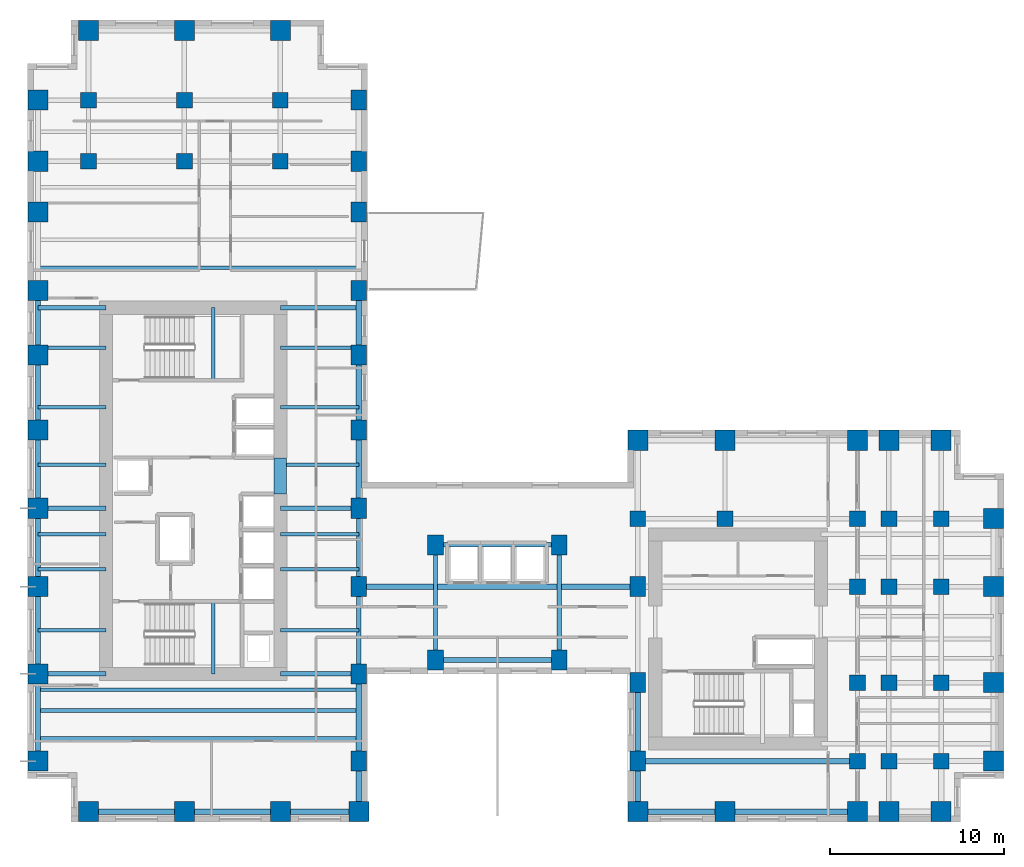
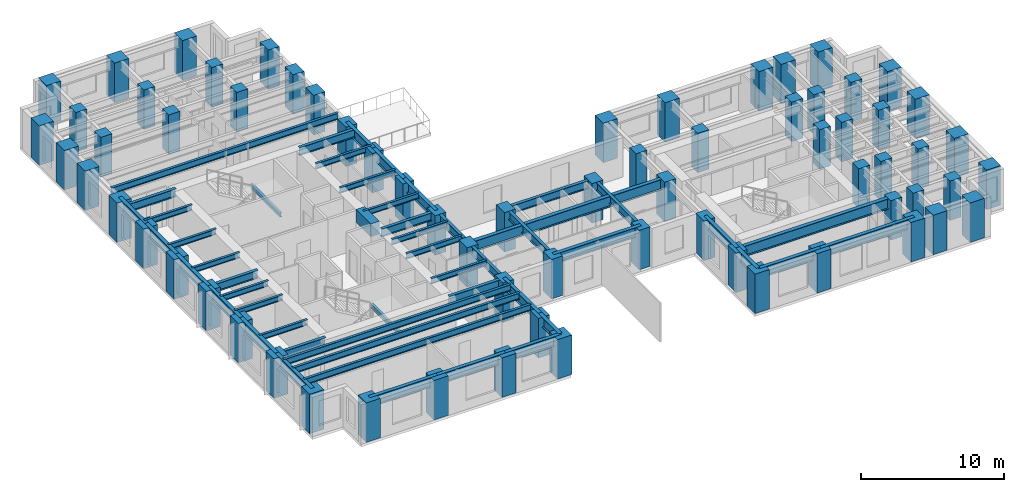
# One storey, part 1 of 11: 68 columns, 51 beams.
"""IFC4 building model written with IfcOpenShell, lengths in metres."""

from ifc_helpers import new_model, si_unit, direction, frame, origin, origin_2d, place, context, subcontext, project, spatial, rectangle, i_section, extrude, source, transform, mapped, material, material_profile, profile_set, type_object, element, save


model = new_model("IFC4")

# Units and contexts
model_context = context("Model", 3, precision=1e-05, world=origin(), true_north=direction((0.0, 1.0)))
body_context = subcontext(model_context, "Body", "Model", "MODEL_VIEW")
ifc_project = project(units=[si_unit("LENGTHUNIT", "METRE"), si_unit("AREAUNIT", "SQUARE_METRE"), si_unit("VOLUMEUNIT", "CUBIC_METRE"), si_unit("PLANEANGLEUNIT", "RADIAN"), si_unit("MASSUNIT", "GRAM", prefix="KILO")], contexts=[model_context])

# Site, building, storey
site_placement = place(None, origin())
site = spatial("IfcSite", under=ifc_project, at=site_placement, CompositionType="ELEMENT")
building_placement = place(site_placement, origin())
building = spatial("IfcBuilding", under=site, at=building_placement, Name="Kharzan Plaza Tower", CompositionType="ELEMENT")
storey_placement = place(building_placement, frame((0.0, 0.0, 127.800048828125)))
storey = spatial("IfcBuildingStorey", under=building, at=storey_placement, Name="L34", CompositionType="ELEMENT", Elevation=127.800048828125)

# Columns
ifc_material_1 = material(Name="Concrete C50/60", Category="concrete")
ifc_material_profile_1 = material_profile(ifc_material_1, rectangle(XDim=0.89990234375, YDim=0.89990234375, at=origin_2d()), Name="RC-IC900x900")
ifc_profile_set_1 = profile_set([ifc_material_profile_1], Name="Concrete C50/60")
column_type_1 = type_object("IfcColumnType", Name="COL-IC900", PredefinedType="COLUMN", material=ifc_profile_set_1)
shared_shape_1 = source(origin(), body_context, "Body", "SweptSolid", [
    extrude(rectangle(XDim=0.89990234375, YDim=0.89990234375, at=origin_2d()), origin(), (0.0, 0.0, 1.0), 3.3798828125),
])
for number, where, z_axis, x_axis, name in (
    (1, (47.60009765625, 13.5, 0.0), (0.0, 0.0, 1.0), (1.0, 0.0, 0.0), "L34 Structural Column TCBI-135"),
    (2, (47.60009765625, 3.5, 0.0), (0.0, 0.0, 1.0), (1.0, 0.0, 0.0), "L34 Structural Column TCBI-35"),
    (3, (47.60009765625, 8.0, 0.0), (0.0, 0.0, 1.0), (1.0, 0.0, 0.0), "L34 Structural Column TCBI-80"),
    (4, (35.0, 17.39990234375, 0.0), (0.0, 0.0, 1.0), (1.0, 0.0, 0.0), "L34 Structural Column TCBN-350-174"),
    (5, (40.0, 17.39990234375, 0.0), (0.0, 0.0, 1.0), (1.0, 0.0, 0.0), "L34 Structural Column TCBN-400-174"),
    (6, (47.60009765625, 17.39990234375, 0.0), (0.0, 0.0, 1.0), (1.0, 0.0, 0.0), "L34 Structural Column TCBN-476-174"),
    (7, (49.39990234375, 13.5, 0.0), (0.0, 0.0, 1.0), (1.0, 0.0, 0.0), "L34 Structural Column TCE-494-135"),
    (8, (49.39990234375, 17.39990234375, 0.0), (0.0, 0.0, 1.0), (1.0, 0.0, 0.0), "L34 Structural Column TCE-494-174"),
    (9, (49.39990234375, 3.5, 0.0), (0.0, 0.0, 1.0), (1.0, 0.0, 0.0), "L34 Structural Column TCE-494-35"),
    (10, (49.39990234375, 8.0, 0.0), (0.0, 0.0, 1.0), (1.0, 0.0, 0.0), "L34 Structural Column TCE-494-80"),
    (11, (52.39990234375, 13.5, 0.0), (0.0, 0.0, 1.0), (1.0, 0.0, 0.0), "L34 Structural Column TCE-524-135"),
    (12, (52.39990234375, 17.39990234375, 0.0), (0.0, 0.0, 1.0), (1.0, 0.0, 0.0), "L34 Structural Column TCE-524-174"),
    (13, (52.39990234375, 3.5, 0.0), (0.0, 0.0, 1.0), (1.0, 0.0, 0.0), "L34 Structural Column TCE-524-35"),
    (14, (52.39990234375, 8.0, 0.0), (0.0, 0.0, 1.0), (1.0, 0.0, 0.0), "L34 Structural Column TCE-524-80"),
    (15, (14.5, 37.89990234375, 0.0), (0.0, 0.0, 1.0), (1.0, 0.0, 0.0), "L34 Structural Column TCN-145-379"),
    (16, (14.5, 41.39990234375, 0.0), (0.0, 0.0, 1.0), (1.0, 0.0, 0.0), "L34 Structural Column TCN-145-414"),
    (17, (3.5, 37.89990234375, 0.0), (0.0, 0.0, 1.0), (1.0, 0.0, 0.0), "L34 Structural Column TCN-35-379"),
    (18, (3.5, 41.39990234375, 0.0), (0.0, 0.0, 1.0), (1.0, 0.0, 0.0), "L34 Structural Column TCN-35-414"),
    (19, (9.0, 37.89990234375, 0.0), (0.0, 0.0, 1.0), (1.0, 0.0, 0.0), "L34 Structural Column TCN-90-379"),
    (20, (9.0, 41.39990234375, 0.0), (0.0, 0.0, 1.0), (1.0, 0.0, 0.0), "L34 Structural Column TCN-90-414"),
):
    element("IfcColumn", number, at=place(storey_placement, frame(where, z_axis=z_axis, x_axis=x_axis)), inside=storey, type_object=column_type_1, Name=name, PredefinedType="COLUMN", context=body_context, shape_type="MappedRepresentation", body=[
        mapped(shared_shape_1, transform((0.0, 0.0, 0.0), x_axis=(1.0, 0.0, 0.0), y_axis=(0.0, 1.0, 0.0), z_axis=(0.0, 0.0, 1.0))),
    ])
ifc_material_2 = material(Name="Concrete C60/75", Category="concrete")
ifc_material_profile_2 = material_profile(ifc_material_2, rectangle(XDim=0.89990234375, YDim=1.14990234375, at=origin_2d()), Name="RC-SC1150x900")
ifc_profile_set_2 = profile_set([ifc_material_profile_2], Name="Concrete C60/75")
column_type_2 = type_object("IfcColumnType", Name="COL-SC1150", PredefinedType="COLUMN", material=ifc_profile_set_2)
shared_shape_2 = source(origin(), body_context, "Body", "SweptSolid", [
    extrude(rectangle(XDim=0.89990234375, YDim=1.14990234375, at=origin_2d()), origin(), (0.0, 0.0, 1.0), 3.3798828125),
])
for number, where, z_axis, x_axis, name in (
    (21, (19.0, 13.5, 0.0), (0.0, 0.0, 1.0), (1.0, 0.0, 0.0), "L34 Structural Column TCA-135"),
    (22, (19.0, 18.0, 0.0), (0.0, 0.0, 1.0), (1.0, 0.0, 0.0), "L34 Structural Column TCA-180"),
    (23, (19.0, 22.5, 0.0), (0.0, 0.0, 1.0), (1.0, 0.0, 0.0), "L34 Structural Column TCA-225"),
    (24, (19.0, 26.800048828125, 0.0), (0.0, 0.0, 1.0), (1.0, 0.0, 0.0), "L34 Structural Column TCA-268"),
    (25, (19.0, 30.5, 0.0), (0.0, 0.0, 1.0), (1.0, 0.0, 0.0), "L34 Structural Column TCA-305"),
    (26, (19.0, 3.5, 0.0), (0.0, 0.0, 1.0), (1.0, 0.0, 0.0), "L34 Structural Column TCA-35"),
    (27, (19.0, 35.0, 0.0), (0.0, 0.0, 1.0), (1.0, 0.0, 0.0), "L34 Structural Column TCA-350"),
    (28, (19.0, 37.89990234375, 0.0), (0.0, 0.0, 1.0), (1.0, 0.0, 0.0), "L34 Structural Column TCA-379"),
    (29, (19.0, 41.39990234375, 0.0), (0.0, 0.0, 1.0), (1.0, 0.0, 0.0), "L34 Structural Column TCA-414"),
    (30, (19.0, 8.5, 0.0), (0.0, 0.0, 1.0), (1.0, 0.0, 0.0), "L34 Structural Column TCA-85"),
    (31, (35.0, 13.5, 0.0), (0.0, 0.0, 1.0), (1.0, 0.0, 0.0), "L34 Structural Column TCBS-135"),
    (32, (35.0, 3.5, 0.0), (0.0, 0.0, 1.0), (1.0, 0.0, 0.0), "L34 Structural Column TCBS-35"),
    (33, (35.0, 8.0, 0.0), (0.0, 0.0, 1.0), (1.0, 0.0, 0.0), "L34 Structural Column TCBS-80"),
    (34, (23.39990234375, 15.89990234375, 0.0), (0.0, 0.0, 1.0), (1.0, 0.0, 0.0), "L34 Structural Column TCSP-234-159"),
    (35, (23.39990234375, 9.300048828125, 0.0), (0.0, 0.0, 1.0), (1.0, 0.0, 0.0), "L34 Structural Column TCSP-234-93"),
    (36, (30.5, 15.89990234375, 0.0), (0.0, 0.0, 1.0), (1.0, 0.0, 0.0), "L34 Structural Column TCSP-305-159"),
    (37, (30.5, 9.300048828125, 0.0), (0.0, 0.0, 1.0), (1.0, 0.0, 0.0), "L34 Structural Column TCSP-305-93"),
):
    element("IfcColumn", number, at=place(storey_placement, frame(where, z_axis=z_axis, x_axis=x_axis)), inside=storey, type_object=column_type_2, Name=name, PredefinedType="COLUMN", context=body_context, shape_type="MappedRepresentation", body=[
        mapped(shared_shape_2, transform((0.0, 0.0, 0.0), x_axis=(1.0, 0.0, 0.0), y_axis=(0.0, 1.0, 0.0), z_axis=(0.0, 0.0, 1.0))),
    ])
ifc_material_profile_3 = material_profile(ifc_material_2, rectangle(XDim=1.14990234375, YDim=1.14990234375, at=origin_2d()), Name="RC-TC1150x1150")
ifc_profile_set_3 = profile_set([ifc_material_profile_3], Name="Concrete C60/75")
column_type_3 = type_object("IfcColumnType", Name="COL-TC1150", PredefinedType="COLUMN", material=ifc_profile_set_3)
shared_shape_3 = source(origin(), body_context, "Body", "SweptSolid", [
    extrude(rectangle(XDim=1.14990234375, YDim=1.14990234375, at=origin_2d()), origin(), (0.0, 0.0, 1.0), 3.3798828125),
])
for number, where, z_axis, x_axis, name in (
    (38, (35.0, 21.89990234375, 0.0), (0.0, 0.0, 1.0), (1.0, 0.0, 0.0), "L34 Structural Column TCBN-350-219"),
    (39, (40.0, 21.89990234375, 0.0), (0.0, 0.0, 1.0), (1.0, 0.0, 0.0), "L34 Structural Column TCBN-400-219"),
    (40, (47.60009765625, 21.89990234375, 0.0), (0.0, 0.0, 1.0), (1.0, 0.0, 0.0), "L34 Structural Column TCBN-476-219"),
    (41, (49.39990234375, 21.89990234375, 0.0), (0.0, 0.0, 1.0), (1.0, 0.0, 0.0), "L34 Structural Column TCBN-494-219"),
    (42, (52.39990234375, 21.89990234375, 0.0), (0.0, 0.0, 1.0), (1.0, 0.0, 0.0), "L34 Structural Column TCBN-524-219"),
    (43, (55.39990234375, 13.5, 0.0), (0.0, 0.0, 1.0), (1.0, 0.0, 0.0), "L34 Structural Column TCE-554-135"),
    (44, (55.39990234375, 17.39990234375, 0.0), (0.0, 0.0, 1.0), (1.0, 0.0, 0.0), "L34 Structural Column TCE-554-174"),
    (45, (55.39990234375, 3.5, 0.0), (0.0, 0.0, 1.0), (1.0, 0.0, 0.0), "L34 Structural Column TCE-554-35"),
    (46, (55.39990234375, 8.0, 0.0), (0.0, 0.0, 1.0), (1.0, 0.0, 0.0), "L34 Structural Column TCE-554-80"),
    (47, (14.5, 45.39990234375, 0.0), (0.0, 0.0, 1.0), (1.0, 0.0, 0.0), "L34 Structural Column TCN-145-454"),
    (48, (3.5, 45.39990234375, 0.0), (0.0, 0.0, 1.0), (1.0, 0.0, 0.0), "L34 Structural Column TCN-35-454"),
    (49, (9.0, 45.39990234375, 0.0), (0.0, 0.0, 1.0), (1.0, 0.0, 0.0), "L34 Structural Column TCN-90-454"),
    (50, (14.5, 0.60009765625, 0.0), (0.0, 0.0, 1.0), (1.0, 0.0, 0.0), "L34 Structural Column TCS-145"),
    (51, (19.0, 0.60009765625, 0.0), (0.0, 0.0, 1.0), (1.0, 0.0, 0.0), "L34 Structural Column TCS-190"),
    (52, (3.5, 0.60009765625, 0.0), (0.0, 0.0, 1.0), (1.0, 0.0, 0.0), "L34 Structural Column TCS-35"),
    (53, (35.0, 0.60009765625, 0.0), (0.0, 0.0, 1.0), (1.0, 0.0, 0.0), "L34 Structural Column TCS-350"),
    (54, (40.0, 0.60009765625, 0.0), (0.0, 0.0, 1.0), (1.0, 0.0, 0.0), "L34 Structural Column TCS-400"),
    (55, (47.60009765625, 0.60009765625, 0.0), (0.0, 0.0, 1.0), (1.0, 0.0, 0.0), "L34 Structural Column TCS-476"),
    (56, (49.39990234375, 0.60009765625, 0.0), (0.0, 0.0, 1.0), (1.0, 0.0, 0.0), "L34 Structural Column TCS-494"),
    (57, (52.39990234375, 0.60009765625, 0.0), (0.0, 0.0, 1.0), (1.0, 0.0, 0.0), "L34 Structural Column TCS-524"),
    (58, (9.0, 0.60009765625, 0.0), (0.0, 0.0, 1.0), (1.0, 0.0, 0.0), "L34 Structural Column TCS-90"),
    (59, (0.60009765625, 13.5, 0.0), (0.0, 0.0, 1.0), (1.0, 0.0, 0.0), "L34 Structural Column TCW-135"),
    (60, (0.60009765625, 18.0, 0.0), (0.0, 0.0, 1.0), (1.0, 0.0, 0.0), "L34 Structural Column TCW-180"),
    (61, (0.60009765625, 22.5, 0.0), (0.0, 0.0, 1.0), (1.0, 0.0, 0.0), "L34 Structural Column TCW-225"),
    (62, (0.60009765625, 26.800048828125, 0.0), (0.0, 0.0, 1.0), (1.0, 0.0, 0.0), "L34 Structural Column TCW-268"),
    (63, (0.60009765625, 30.5, 0.0), (0.0, 0.0, 1.0), (1.0, 0.0, 0.0), "L34 Structural Column TCW-305"),
    (64, (0.60009765625, 3.5, 0.0), (0.0, 0.0, 1.0), (1.0, 0.0, 0.0), "L34 Structural Column TCW-35"),
    (65, (0.60009765625, 35.0, 0.0), (0.0, 0.0, 1.0), (1.0, 0.0, 0.0), "L34 Structural Column TCW-350"),
    (66, (0.60009765625, 37.89990234375, 0.0), (0.0, 0.0, 1.0), (1.0, 0.0, 0.0), "L34 Structural Column TCW-379"),
    (67, (0.60009765625, 41.39990234375, 0.0), (0.0, 0.0, 1.0), (1.0, 0.0, 0.0), "L34 Structural Column TCW-414"),
    (68, (0.60009765625, 8.5, 0.0), (0.0, 0.0, 1.0), (1.0, 0.0, 0.0), "L34 Structural Column TCW-85"),
):
    element("IfcColumn", number, at=place(storey_placement, frame(where, z_axis=z_axis, x_axis=x_axis)), inside=storey, type_object=column_type_3, Name=name, PredefinedType="COLUMN", context=body_context, shape_type="MappedRepresentation", body=[
        mapped(shared_shape_3, transform((0.0, 0.0, 0.0), x_axis=(1.0, 0.0, 0.0), y_axis=(0.0, 1.0, 0.0), z_axis=(0.0, 0.0, 1.0))),
    ])

# Beams
ifc_material_profile_4 = material_profile(ifc_material_2, rectangle(XDim=0.699951171875, YDim=1.10009765625, at=origin_2d()), Name="RC-CB1100x700")
ifc_profile_set_4 = profile_set([ifc_material_profile_4], Name="Concrete C60/75")
beam_type_1 = type_object("IfcBeamType", Name="BM-RCCB1100", PredefinedType="LINTEL", material=ifc_profile_set_4)
shared_shape_4 = source(origin(), body_context, "Body", "SweptSolid", [
    extrude(rectangle(XDim=0.699951171875, YDim=1.10009765625, at=origin_2d()), origin(), (0.0, 0.0, 1.0), 2.059814453125),
])
beam_1_placement = place(storey_placement, frame((14.5, 18.820068359375, 2.829833984375), z_axis=(0.0, 1.0, 0.0), x_axis=(-1.0, 0.0, 0.0)))
element("IfcBeam", 69, at=beam_1_placement, inside=storey, type_object=beam_type_1, Name="L34 CORE-A RC coupling beam CB1", PredefinedType="LINTEL", context=body_context, shape_type="MappedRepresentation", body=[
    mapped(shared_shape_4, transform((0.0, 0.0, 0.0), x_axis=(1.0, 0.0, 0.0), y_axis=(0.0, 1.0, 0.0), z_axis=(0.0, 0.0, 1.0))),
])
ifc_material_3 = material(Name="Steel S355", Category="steel")
ifc_material_profile_5 = material_profile(ifc_material_3, i_section(OverallWidth=0.205078125, OverallDepth=0.35400390625, WebThickness=0.009521484375, FlangeThickness=0.016845703125, at=origin_2d()), Name="W360x79")
ifc_profile_set_5 = profile_set([ifc_material_profile_5], Name="Steel S355")
beam_type_2 = type_object("IfcBeamType", Name="BM-LNT360", PredefinedType="LINTEL", material=ifc_profile_set_5)
shared_shape_5 = source(origin(), body_context, "Body", "SweptSolid", [
    extrude(i_section(OverallWidth=0.205078125, OverallDepth=0.35400390625, WebThickness=0.009521484375, FlangeThickness=0.016845703125, at=origin_2d()), origin(), (0.0, 0.0, 1.0), 4.155029296875),
])
for number, where, z_axis, x_axis, name in (
    (70, (10.64990234375, 8.5, 1.4228515625), (0.0, 1.0, 0.0), (-1.0, 0.0, 0.0), "L34 Stair ST-1 Half-Landing Beam"),
    (71, (10.64990234375, 25.344970703125, 1.4228515625), (0.0, 1.0, 0.0), (-1.0, 0.0, 0.0), "L34 Stair ST-2 Half-Landing Beam"),
):
    element("IfcBeam", number, at=place(storey_placement, frame(where, z_axis=z_axis, x_axis=x_axis)), inside=storey, type_object=beam_type_2, Name=name, PredefinedType="LINTEL", context=body_context, shape_type="MappedRepresentation", body=[
        mapped(shared_shape_5, transform((0.0, 0.0, 0.0), x_axis=(1.0, 0.0, 0.0), y_axis=(0.0, 1.0, 0.0), z_axis=(0.0, 0.0, 1.0))),
    ])
ifc_material_profile_6 = material_profile(ifc_material_3, i_section(OverallWidth=0.304931640625, OverallDepth=0.9189453125, WebThickness=0.017333984375, FlangeThickness=0.02783203125, at=origin_2d()), Name="W920x253")
ifc_profile_set_6 = profile_set([ifc_material_profile_6], Name="Steel S355")
beam_type_3 = type_object("IfcBeamType", Name="BM-FG920B", PredefinedType="BEAM", material=ifc_profile_set_6)
shared_shape_6 = source(origin(), body_context, "Body", "SweptSolid", [
    extrude(i_section(OverallWidth=0.304931640625, OverallDepth=0.9189453125, WebThickness=0.017333984375, FlangeThickness=0.02783203125, at=origin_2d()), origin(), (0.0, 0.0, 1.0), 12.60009765625),
])
beam_2_placement = place(storey_placement, frame((35.0, 3.5, 2.92041015625), z_axis=(1.0, 0.0, 0.0), x_axis=(0.0, 1.0, 0.0)))
element("IfcBeam", 72, at=beam_2_placement, inside=storey, type_object=beam_type_3, Name="L34 Primary Floor Girder", PredefinedType="BEAM", context=body_context, shape_type="MappedRepresentation", body=[
    mapped(shared_shape_6, transform((0.0, 0.0, 0.0), x_axis=(1.0, 0.0, 0.0), y_axis=(0.0, 1.0, 0.0), z_axis=(0.0, 0.0, 1.0))),
])
shared_shape_7 = source(origin(), body_context, "Body", "SweptSolid", [
    extrude(i_section(OverallWidth=0.304931640625, OverallDepth=0.9189453125, WebThickness=0.017333984375, FlangeThickness=0.02783203125, at=origin_2d()), origin(), (0.0, 0.0, 1.0), 16.0),
])
beam_3_placement = place(storey_placement, frame((19.0, 13.5, 2.92041015625), z_axis=(1.0, 0.0, 0.0), x_axis=(0.0, 1.0, 0.0)))
element("IfcBeam", 73, at=beam_3_placement, inside=storey, type_object=beam_type_3, Name="L34 Primary Floor Girder", PredefinedType="BEAM", context=body_context, shape_type="MappedRepresentation", body=[
    mapped(shared_shape_7, transform((0.0, 0.0, 0.0), x_axis=(1.0, 0.0, 0.0), y_axis=(0.0, 1.0, 0.0), z_axis=(0.0, 0.0, 1.0))),
])
ifc_material_profile_7 = material_profile(ifc_material_3, i_section(OverallWidth=0.2099609375, OverallDepth=0.537109375, WebThickness=0.010986328125, FlangeThickness=0.017333984375, at=origin_2d()), Name="W530x101")
ifc_profile_set_7 = profile_set([ifc_material_profile_7], Name="Steel S355")
beam_type_4 = type_object("IfcBeamType", Name="BM-JST530B", PredefinedType="JOIST", material=ifc_profile_set_7)
shared_shape_8 = source(origin(), body_context, "Body", "SweptSolid", [
    extrude(i_section(OverallWidth=0.2099609375, OverallDepth=0.537109375, WebThickness=0.010986328125, FlangeThickness=0.017333984375, at=origin_2d()), origin(), (0.0, 0.0, 1.0), 18.39990234375),
])
for number, where, z_axis, x_axis, name in (
    (74, (0.60009765625, 4.800048828125, 3.111572265625), (1.0, 0.0, 0.0), (0.0, 1.0, 0.0), "L34 Wing A Composite Joist 01"),
    (75, (0.60009765625, 6.39990234375, 3.111572265625), (1.0, 0.0, 0.0), (0.0, 1.0, 0.0), "L34 Wing A Composite Joist 02"),
    (76, (0.60009765625, 7.60009765625, 3.111572265625), (1.0, 0.0, 0.0), (0.0, 1.0, 0.0), "L34 Wing A Composite Joist 03"),
    (77, (0.60009765625, 31.800048828125, 3.111572265625), (1.0, 0.0, 0.0), (0.0, 1.0, 0.0), "L34 Wing A Composite Joist 04"),
):
    element("IfcBeam", number, at=place(storey_placement, frame(where, z_axis=z_axis, x_axis=x_axis)), inside=storey, type_object=beam_type_4, Name=name, PredefinedType="JOIST", context=body_context, shape_type="MappedRepresentation", body=[
        mapped(shared_shape_8, transform((0.0, 0.0, 0.0), x_axis=(1.0, 0.0, 0.0), y_axis=(0.0, 1.0, 0.0), z_axis=(0.0, 0.0, 1.0))),
    ])
ifc_material_profile_8 = material_profile(ifc_material_3, i_section(OverallWidth=0.194091796875, OverallDepth=0.468994140625, WebThickness=0.011474609375, FlangeThickness=0.0205078125, at=origin_2d()), Name="W460x106")
ifc_profile_set_8 = profile_set([ifc_material_profile_8], Name="Steel S355")
beam_type_5 = type_object("IfcBeamType", Name="BM-JST460", PredefinedType="JOIST", material=ifc_profile_set_8)
shared_shape_9 = source(origin(), body_context, "Body", "SweptSolid", [
    extrude(i_section(OverallWidth=0.194091796875, OverallDepth=0.468994140625, WebThickness=0.011474609375, FlangeThickness=0.0205078125, at=origin_2d()), origin(), (0.0, 0.0, 1.0), 4.5),
])
for number, where, z_axis, x_axis, name in (
    (78, (14.5, 11.0, 3.1455078125), (1.0, 0.0, 0.0), (0.0, 1.0, 0.0), "L34 Wing A East Infill Joist 1"),
    (79, (14.5, 14.5, 3.1455078125), (1.0, 0.0, 0.0), (0.0, 1.0, 0.0), "L34 Wing A East Infill Joist 2"),
    (80, (14.5, 16.5, 3.1455078125), (1.0, 0.0, 0.0), (0.0, 1.0, 0.0), "L34 Wing A East Infill Joist 3"),
    (81, (14.5, 20.5, 3.1455078125), (1.0, 0.0, 0.0), (0.0, 1.0, 0.0), "L34 Wing A East Infill Joist 4"),
    (82, (14.5, 23.800048828125, 3.1455078125), (1.0, 0.0, 0.0), (0.0, 1.0, 0.0), "L34 Wing A East Infill Joist 5"),
    (83, (14.5, 27.199951171875, 3.1455078125), (1.0, 0.0, 0.0), (0.0, 1.0, 0.0), "L34 Wing A East Infill Joist 6"),
):
    element("IfcBeam", number, at=place(storey_placement, frame(where, z_axis=z_axis, x_axis=x_axis)), inside=storey, type_object=beam_type_5, Name=name, PredefinedType="JOIST", context=body_context, shape_type="MappedRepresentation", body=[
        mapped(shared_shape_9, transform((0.0, 0.0, 0.0), x_axis=(1.0, 0.0, 0.0), y_axis=(0.0, 1.0, 0.0), z_axis=(0.0, 0.0, 1.0))),
    ])
shared_shape_10 = source(origin(), body_context, "Body", "SweptSolid", [
    extrude(i_section(OverallWidth=0.194091796875, OverallDepth=0.468994140625, WebThickness=0.011474609375, FlangeThickness=0.0205078125, at=origin_2d()), origin(), (0.0, 0.0, 1.0), 3.89990234375),
])
for number, where, z_axis, x_axis, name in (
    (84, (0.60009765625, 11.0, 3.1455078125), (1.0, 0.0, 0.0), (0.0, 1.0, 0.0), "L34 Wing A West Infill Joist 1"),
    (85, (0.60009765625, 14.5, 3.1455078125), (1.0, 0.0, 0.0), (0.0, 1.0, 0.0), "L34 Wing A West Infill Joist 2"),
    (86, (0.60009765625, 16.5, 3.1455078125), (1.0, 0.0, 0.0), (0.0, 1.0, 0.0), "L34 Wing A West Infill Joist 3"),
    (87, (0.60009765625, 20.5, 3.1455078125), (1.0, 0.0, 0.0), (0.0, 1.0, 0.0), "L34 Wing A West Infill Joist 4"),
    (88, (0.60009765625, 23.800048828125, 3.1455078125), (1.0, 0.0, 0.0), (0.0, 1.0, 0.0), "L34 Wing A West Infill Joist 5"),
    (89, (0.60009765625, 27.199951171875, 3.1455078125), (1.0, 0.0, 0.0), (0.0, 1.0, 0.0), "L34 Wing A West Infill Joist 6"),
):
    element("IfcBeam", number, at=place(storey_placement, frame(where, z_axis=z_axis, x_axis=x_axis)), inside=storey, type_object=beam_type_5, Name=name, PredefinedType="JOIST", context=body_context, shape_type="MappedRepresentation", body=[
        mapped(shared_shape_10, transform((0.0, 0.0, 0.0), x_axis=(1.0, 0.0, 0.0), y_axis=(0.0, 1.0, 0.0), z_axis=(0.0, 0.0, 1.0))),
    ])
ifc_material_profile_9 = material_profile(ifc_material_3, i_section(OverallWidth=0.25390625, OverallDepth=0.68798828125, WebThickness=0.01318359375, FlangeThickness=0.02099609375, at=origin_2d()), Name="W690x152")
ifc_profile_set_9 = profile_set([ifc_material_profile_9], Name="Steel S355")
beam_type_6 = type_object("IfcBeamType", Name="BM-FG690B", PredefinedType="BEAM", material=ifc_profile_set_9)
shared_shape_11 = source(origin(), body_context, "Body", "SweptSolid", [
    extrude(i_section(OverallWidth=0.25390625, OverallDepth=0.68798828125, WebThickness=0.01318359375, FlangeThickness=0.02099609375, at=origin_2d()), origin(), (0.0, 0.0, 1.0), 4.5),
])
for number, where, z_axis, x_axis, name in (
    (90, (14.5, 8.5, 3.035888671875), (1.0, 0.0, 0.0), (0.0, 1.0, 0.0), "L34 Core-A East Floor Girder 1"),
    (91, (14.5, 18.0, 3.035888671875), (1.0, 0.0, 0.0), (0.0, 1.0, 0.0), "L34 Core-A East Floor Girder 2"),
    (92, (14.5, 29.5, 3.035888671875), (1.0, 0.0, 0.0), (0.0, 1.0, 0.0), "L34 Core-A East Floor Girder 3"),
    (93, (19.0, 13.5, 3.035888671875), (0.0, 1.0, 0.0), (-1.0, 0.0, 0.0), "L34 Interior Frame Girder"),
):
    element("IfcBeam", number, at=place(storey_placement, frame(where, z_axis=z_axis, x_axis=x_axis)), inside=storey, type_object=beam_type_6, Name=name, PredefinedType="BEAM", context=body_context, shape_type="MappedRepresentation", body=[
        mapped(shared_shape_11, transform((0.0, 0.0, 0.0), x_axis=(1.0, 0.0, 0.0), y_axis=(0.0, 1.0, 0.0), z_axis=(0.0, 0.0, 1.0))),
    ])
shared_shape_12 = source(origin(), body_context, "Body", "SweptSolid", [
    extrude(i_section(OverallWidth=0.25390625, OverallDepth=0.68798828125, WebThickness=0.01318359375, FlangeThickness=0.02099609375, at=origin_2d()), origin(), (0.0, 0.0, 1.0), 3.89990234375),
])
for number, where, z_axis, x_axis, name in (
    (94, (0.60009765625, 8.5, 3.035888671875), (1.0, 0.0, 0.0), (0.0, 1.0, 0.0), "L34 Core-A West Floor Girder 1"),
    (95, (0.60009765625, 18.0, 3.035888671875), (1.0, 0.0, 0.0), (0.0, 1.0, 0.0), "L34 Core-A West Floor Girder 2"),
    (96, (0.60009765625, 29.5, 3.035888671875), (1.0, 0.0, 0.0), (0.0, 1.0, 0.0), "L34 Core-A West Floor Girder 3"),
):
    element("IfcBeam", number, at=place(storey_placement, frame(where, z_axis=z_axis, x_axis=x_axis)), inside=storey, type_object=beam_type_6, Name=name, PredefinedType="BEAM", context=body_context, shape_type="MappedRepresentation", body=[
        mapped(shared_shape_12, transform((0.0, 0.0, 0.0), x_axis=(1.0, 0.0, 0.0), y_axis=(0.0, 1.0, 0.0), z_axis=(0.0, 0.0, 1.0))),
    ])
shared_shape_13 = source(origin(), body_context, "Body", "SweptSolid", [
    extrude(i_section(OverallWidth=0.25390625, OverallDepth=0.68798828125, WebThickness=0.01318359375, FlangeThickness=0.02099609375, at=origin_2d()), origin(), (0.0, 0.0, 1.0), 5.0),
])
beam_4_placement = place(storey_placement, frame((19.0, 8.5, 3.035888671875), z_axis=(0.0, 1.0, 0.0), x_axis=(-1.0, 0.0, 0.0)))
element("IfcBeam", 97, at=beam_4_placement, inside=storey, type_object=beam_type_6, Name="L34 Interior Frame Girder", PredefinedType="BEAM", context=body_context, shape_type="MappedRepresentation", body=[
    mapped(shared_shape_13, transform((0.0, 0.0, 0.0), x_axis=(1.0, 0.0, 0.0), y_axis=(0.0, 1.0, 0.0), z_axis=(0.0, 0.0, 1.0))),
])
shared_shape_14 = source(origin(), body_context, "Body", "SweptSolid", [
    extrude(i_section(OverallWidth=0.25390625, OverallDepth=0.68798828125, WebThickness=0.01318359375, FlangeThickness=0.02099609375, at=origin_2d()), origin(), (0.0, 0.0, 1.0), 6.599853515625),
])
for number, where, z_axis, x_axis, name in (
    (98, (23.39990234375, 9.300048828125, 3.035888671875), (0.0, 1.0, 0.0), (-1.0, 0.0, 0.0), "L34 Interior Frame Girder"),
    (99, (30.5, 9.300048828125, 3.035888671875), (0.0, 1.0, 0.0), (-1.0, 0.0, 0.0), "L34 Interior Frame Girder"),
):
    element("IfcBeam", number, at=place(storey_placement, frame(where, z_axis=z_axis, x_axis=x_axis)), inside=storey, type_object=beam_type_6, Name=name, PredefinedType="BEAM", context=body_context, shape_type="MappedRepresentation", body=[
        mapped(shared_shape_14, transform((0.0, 0.0, 0.0), x_axis=(1.0, 0.0, 0.0), y_axis=(0.0, 1.0, 0.0), z_axis=(0.0, 0.0, 1.0))),
    ])
shared_shape_15 = source(origin(), body_context, "Body", "SweptSolid", [
    extrude(i_section(OverallWidth=0.25390625, OverallDepth=0.68798828125, WebThickness=0.01318359375, FlangeThickness=0.02099609375, at=origin_2d()), origin(), (0.0, 0.0, 1.0), 7.10009765625),
])
beam_5_placement = place(storey_placement, frame((23.39990234375, 15.89990234375, 3.035888671875), z_axis=(1.0, 0.0, 0.0), x_axis=(0.0, 1.0, 0.0)))
element("IfcBeam", 100, at=beam_5_placement, inside=storey, type_object=beam_type_6, Name="L34 Primary Floor Girder", PredefinedType="BEAM", context=body_context, shape_type="MappedRepresentation", body=[
    mapped(shared_shape_15, transform((0.0, 0.0, 0.0), x_axis=(1.0, 0.0, 0.0), y_axis=(0.0, 1.0, 0.0), z_axis=(0.0, 0.0, 1.0))),
])
ifc_material_profile_10 = material_profile(ifc_material_3, i_section(OverallWidth=0.299072265625, OverallDepth=0.845947265625, WebThickness=0.015380859375, FlangeThickness=0.0244140625, at=origin_2d()), Name="W840x210")
ifc_profile_set_10 = profile_set([ifc_material_profile_10], Name="Steel S355")
beam_type_7 = type_object("IfcBeamType", Name="BM-SP840B", PredefinedType="SPANDREL", material=ifc_profile_set_10)
shared_shape_16 = source(origin(), body_context, "Body", "SweptSolid", [
    extrude(i_section(OverallWidth=0.299072265625, OverallDepth=0.845947265625, WebThickness=0.015380859375, FlangeThickness=0.0244140625, at=origin_2d()), origin(), (0.0, 0.0, 1.0), 5.0),
])
for number, where, z_axis, x_axis, name in (
    (101, (0.60009765625, 3.5, 2.95703125), (0.0, 1.0, 0.0), (-1.0, 0.0, 0.0), "L34 Perimeter Tube Spandrel"),
    (102, (0.60009765625, 8.5, 2.95703125), (0.0, 1.0, 0.0), (-1.0, 0.0, 0.0), "L34 Perimeter Tube Spandrel"),
    (103, (19.0, 3.5, 2.95703125), (0.0, 1.0, 0.0), (-1.0, 0.0, 0.0), "L34 Perimeter Tube Spandrel"),
    (104, (35.0, 0.60009765625, 2.95703125), (1.0, 0.0, 0.0), (0.0, 1.0, 0.0), "L34 Perimeter Tube Spandrel"),
):
    element("IfcBeam", number, at=place(storey_placement, frame(where, z_axis=z_axis, x_axis=x_axis)), inside=storey, type_object=beam_type_7, Name=name, PredefinedType="SPANDREL", context=body_context, shape_type="MappedRepresentation", body=[
        mapped(shared_shape_16, transform((0.0, 0.0, 0.0), x_axis=(1.0, 0.0, 0.0), y_axis=(0.0, 1.0, 0.0), z_axis=(0.0, 0.0, 1.0))),
    ])
shared_shape_17 = source(origin(), body_context, "Body", "SweptSolid", [
    extrude(i_section(OverallWidth=0.299072265625, OverallDepth=0.845947265625, WebThickness=0.015380859375, FlangeThickness=0.0244140625, at=origin_2d()), origin(), (0.0, 0.0, 1.0), 4.5),
])
for number, where, z_axis, x_axis, name in (
    (105, (0.60009765625, 13.5, 2.95703125), (0.0, 1.0, 0.0), (-1.0, 0.0, 0.0), "L34 Perimeter Tube Spandrel"),
    (106, (0.60009765625, 18.0, 2.95703125), (0.0, 1.0, 0.0), (-1.0, 0.0, 0.0), "L34 Perimeter Tube Spandrel"),
    (107, (19.0, 18.0, 2.95703125), (0.0, 1.0, 0.0), (-1.0, 0.0, 0.0), "L34 Perimeter Tube Spandrel"),
    (108, (35.0, 3.5, 2.95703125), (0.0, 1.0, 0.0), (-1.0, 0.0, 0.0), "L34 Perimeter Tube Spandrel"),
    (109, (14.5, 0.60009765625, 2.95703125), (1.0, 0.0, 0.0), (0.0, 1.0, 0.0), "L34 Perimeter Tube Spandrel"),
):
    element("IfcBeam", number, at=place(storey_placement, frame(where, z_axis=z_axis, x_axis=x_axis)), inside=storey, type_object=beam_type_7, Name=name, PredefinedType="SPANDREL", context=body_context, shape_type="MappedRepresentation", body=[
        mapped(shared_shape_17, transform((0.0, 0.0, 0.0), x_axis=(1.0, 0.0, 0.0), y_axis=(0.0, 1.0, 0.0), z_axis=(0.0, 0.0, 1.0))),
    ])
shared_shape_18 = source(origin(), body_context, "Body", "SweptSolid", [
    extrude(i_section(OverallWidth=0.299072265625, OverallDepth=0.845947265625, WebThickness=0.015380859375, FlangeThickness=0.0244140625, at=origin_2d()), origin(), (0.0, 0.0, 1.0), 4.300048828125),
])
for number, where, z_axis, x_axis, name in (
    (110, (0.60009765625, 22.5, 2.95703125), (0.0, 1.0, 0.0), (-1.0, 0.0, 0.0), "L34 Perimeter Tube Spandrel"),
    (111, (19.0, 22.5, 2.95703125), (0.0, 1.0, 0.0), (-1.0, 0.0, 0.0), "L34 Perimeter Tube Spandrel"),
):
    element("IfcBeam", number, at=place(storey_placement, frame(where, z_axis=z_axis, x_axis=x_axis)), inside=storey, type_object=beam_type_7, Name=name, PredefinedType="SPANDREL", context=body_context, shape_type="MappedRepresentation", body=[
        mapped(shared_shape_18, transform((0.0, 0.0, 0.0), x_axis=(1.0, 0.0, 0.0), y_axis=(0.0, 1.0, 0.0), z_axis=(0.0, 0.0, 1.0))),
    ])
shared_shape_19 = source(origin(), body_context, "Body", "SweptSolid", [
    extrude(i_section(OverallWidth=0.299072265625, OverallDepth=0.845947265625, WebThickness=0.015380859375, FlangeThickness=0.0244140625, at=origin_2d()), origin(), (0.0, 0.0, 1.0), 3.699951171875),
])
for number, where, z_axis, x_axis, name in (
    (112, (0.60009765625, 26.800048828125, 2.95703125), (0.0, 1.0, 0.0), (-1.0, 0.0, 0.0), "L34 Perimeter Tube Spandrel"),
    (113, (19.0, 26.800048828125, 2.95703125), (0.0, 1.0, 0.0), (-1.0, 0.0, 0.0), "L34 Perimeter Tube Spandrel"),
):
    element("IfcBeam", number, at=place(storey_placement, frame(where, z_axis=z_axis, x_axis=x_axis)), inside=storey, type_object=beam_type_7, Name=name, PredefinedType="SPANDREL", context=body_context, shape_type="MappedRepresentation", body=[
        mapped(shared_shape_19, transform((0.0, 0.0, 0.0), x_axis=(1.0, 0.0, 0.0), y_axis=(0.0, 1.0, 0.0), z_axis=(0.0, 0.0, 1.0))),
    ])
shared_shape_20 = source(origin(), body_context, "Body", "SweptSolid", [
    extrude(i_section(OverallWidth=0.299072265625, OverallDepth=0.845947265625, WebThickness=0.015380859375, FlangeThickness=0.0244140625, at=origin_2d()), origin(), (0.0, 0.0, 1.0), 2.89990234375),
])
for number, where, z_axis, x_axis, name in (
    (114, (19.0, 0.60009765625, 2.95703125), (0.0, 1.0, 0.0), (-1.0, 0.0, 0.0), "L34 Perimeter Tube Spandrel"),
    (115, (35.0, 0.60009765625, 2.95703125), (0.0, 1.0, 0.0), (-1.0, 0.0, 0.0), "L34 Perimeter Tube Spandrel"),
):
    element("IfcBeam", number, at=place(storey_placement, frame(where, z_axis=z_axis, x_axis=x_axis)), inside=storey, type_object=beam_type_7, Name=name, PredefinedType="SPANDREL", context=body_context, shape_type="MappedRepresentation", body=[
        mapped(shared_shape_20, transform((0.0, 0.0, 0.0), x_axis=(1.0, 0.0, 0.0), y_axis=(0.0, 1.0, 0.0), z_axis=(0.0, 0.0, 1.0))),
    ])
shared_shape_21 = source(origin(), body_context, "Body", "SweptSolid", [
    extrude(i_section(OverallWidth=0.299072265625, OverallDepth=0.845947265625, WebThickness=0.015380859375, FlangeThickness=0.0244140625, at=origin_2d()), origin(), (0.0, 0.0, 1.0), 5.5),
])
for number, where, z_axis, x_axis, name in (
    (116, (3.5, 0.60009765625, 2.95703125), (1.0, 0.0, 0.0), (0.0, 1.0, 0.0), "L34 Perimeter Tube Spandrel"),
    (117, (9.0, 0.60009765625, 2.95703125), (1.0, 0.0, 0.0), (0.0, 1.0, 0.0), "L34 Perimeter Tube Spandrel"),
):
    element("IfcBeam", number, at=place(storey_placement, frame(where, z_axis=z_axis, x_axis=x_axis)), inside=storey, type_object=beam_type_7, Name=name, PredefinedType="SPANDREL", context=body_context, shape_type="MappedRepresentation", body=[
        mapped(shared_shape_21, transform((0.0, 0.0, 0.0), x_axis=(1.0, 0.0, 0.0), y_axis=(0.0, 1.0, 0.0), z_axis=(0.0, 0.0, 1.0))),
    ])
shared_shape_22 = source(origin(), body_context, "Body", "SweptSolid", [
    extrude(i_section(OverallWidth=0.299072265625, OverallDepth=0.845947265625, WebThickness=0.015380859375, FlangeThickness=0.0244140625, at=origin_2d()), origin(), (0.0, 0.0, 1.0), 7.60009765625),
])
beam_6_placement = place(storey_placement, frame((40.0, 0.60009765625, 2.95703125), z_axis=(1.0, 0.0, 0.0), x_axis=(0.0, 1.0, 0.0)))
element("IfcBeam", 118, at=beam_6_placement, inside=storey, type_object=beam_type_7, Name="L34 Perimeter Tube Spandrel", PredefinedType="SPANDREL", context=body_context, shape_type="MappedRepresentation", body=[
    mapped(shared_shape_22, transform((0.0, 0.0, 0.0), x_axis=(1.0, 0.0, 0.0), y_axis=(0.0, 1.0, 0.0), z_axis=(0.0, 0.0, 1.0))),
])
shared_shape_23 = source(origin(), body_context, "Body", "SweptSolid", [
    extrude(i_section(OverallWidth=0.299072265625, OverallDepth=0.845947265625, WebThickness=0.015380859375, FlangeThickness=0.0244140625, at=origin_2d()), origin(), (0.0, 0.0, 1.0), 7.10009765625),
])
beam_7_placement = place(storey_placement, frame((23.39990234375, 9.300048828125, 2.95703125), z_axis=(1.0, 0.0, 0.0), x_axis=(0.0, 1.0, 0.0)))
element("IfcBeam", 119, at=beam_7_placement, inside=storey, type_object=beam_type_7, Name="L34 Perimeter Tube Spandrel", PredefinedType="SPANDREL", context=body_context, shape_type="MappedRepresentation", body=[
    mapped(shared_shape_23, transform((0.0, 0.0, 0.0), x_axis=(1.0, 0.0, 0.0), y_axis=(0.0, 1.0, 0.0), z_axis=(0.0, 0.0, 1.0))),
])

save(model, "model.ifc")
